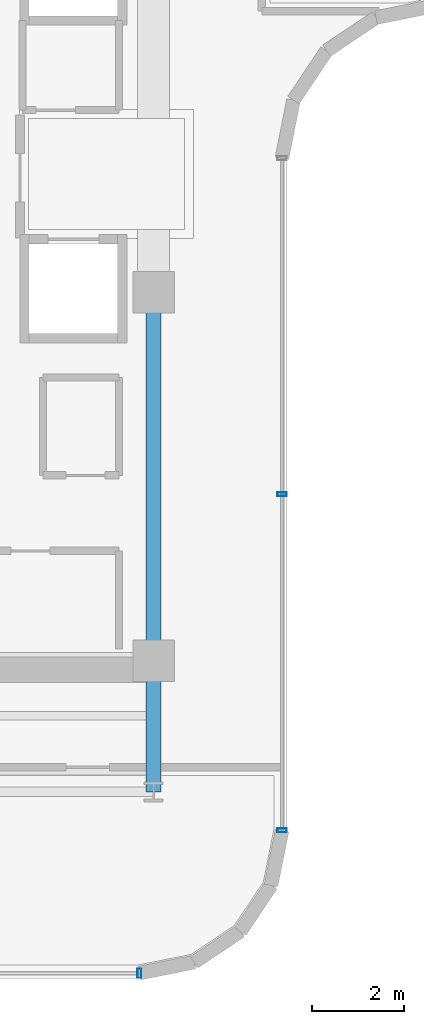
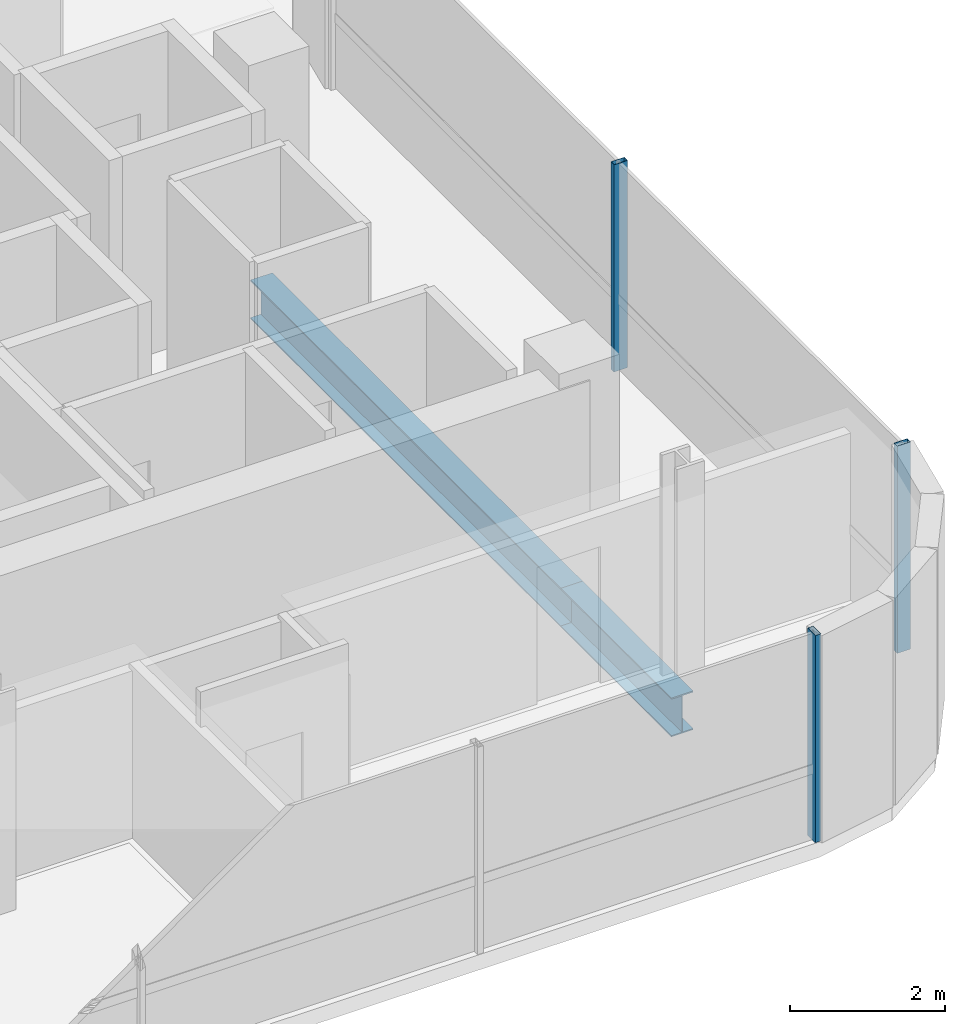
# One storey, part 5 of 24: 3 members, 2 beams, 2 elements without a shape of their own.
"""IFC4 building model written with IfcOpenShell, lengths in metres."""

from ifc_helpers import new_model, si_unit, direction, frame, origin, origin_2d, place, context, subcontext, project, spatial, hollow_rectangle, i_section, extrude, source, transform, mapped, material, material_profile, profile_set, type_object, element, aggregate, save


model = new_model("IFC4")

# Units and contexts
model_context = context("Model", 3, precision=1e-05, world=origin(), true_north=direction((0.0, 1.0)))
body_context = subcontext(model_context, "Body", "Model", "MODEL_VIEW")
ifc_project = project(units=[si_unit("LENGTHUNIT", "METRE"), si_unit("AREAUNIT", "SQUARE_METRE"), si_unit("VOLUMEUNIT", "CUBIC_METRE"), si_unit("PLANEANGLEUNIT", "RADIAN"), si_unit("MASSUNIT", "GRAM", prefix="KILO")], contexts=[model_context])

# Site, building, storey
site_placement = place(None, origin())
site = spatial("IfcSite", under=ifc_project, at=site_placement, CompositionType="ELEMENT")
building_placement = place(site_placement, origin())
building = spatial("IfcBuilding", under=site, at=building_placement, Name="Valdorenza Pilgrim Sanctuary Tower", CompositionType="ELEMENT")
storey_placement = place(building_placement, frame((0.0, 0.0, 230.0)))
storey = spatial("IfcBuildingStorey", under=building, at=storey_placement, Name="L59", CompositionType="ELEMENT", Elevation=230.0)

# Beams
ifc_material_1 = material(Name="Steel ASTM A992 Grade 50", Category="steel")
ifc_material_profile_1 = material_profile(ifc_material_1, i_section(OverallWidth=0.323974609375, OverallDepth=0.611083984375, WebThickness=0.0126953125, FlangeThickness=0.01904296875, at=origin_2d()), Name="W24X104")
ifc_profile_set_1 = profile_set([ifc_material_profile_1], Name="Steel ASTM A992 Grade 50")
beam_type = type_object("IfcBeamType", Name="STR-BM-GRD-W24B", PredefinedType="BEAM", material=ifc_profile_set_1)
shared_shape_1 = source(origin(), body_context, "Body", "SweptSolid", [
    extrude(i_section(OverallWidth=0.323974609375, OverallDepth=0.611083984375, WebThickness=0.0126953125, FlangeThickness=0.01904296875, at=origin_2d()), origin(), (0.0, 0.0, 1.0), 8.0),
])
beam_1_placement = place(storey_placement, frame((-12.39990234375, -10.60009765625, -0.54541015625), z_axis=(0.0, 1.0, 0.0), x_axis=(-1.0, 0.0, 0.0)))
element("IfcBeam", 1, at=beam_1_placement, inside=storey, type_object=beam_type, Name="L59 Core Tie Girder CA-E-S1M0", PredefinedType="BEAM", context=body_context, shape_type="MappedRepresentation", body=[
    mapped(shared_shape_1, transform((0.0, 0.0, 0.0), x_axis=(1.0, 0.0, 0.0), y_axis=(0.0, 1.0, 0.0), z_axis=(0.0, 0.0, 1.0), scale=1.0)),
])
shared_shape_2 = source(origin(), body_context, "Body", "SweptSolid", [
    extrude(i_section(OverallWidth=0.323974609375, OverallDepth=0.611083984375, WebThickness=0.0126953125, FlangeThickness=0.01904296875, at=origin_2d()), origin(), (0.0, 0.0, 1.0), 2.849853515625),
])
beam_2_placement = place(storey_placement, frame((-12.39990234375, -13.449951171875, -0.54541015625), z_axis=(0.0, 1.0, 0.0), x_axis=(-1.0, 0.0, 0.0)))
element("IfcBeam", 2, at=beam_2_placement, inside=storey, type_object=beam_type, Name="L59 Floor Girder WA-S-LE", PredefinedType="BEAM", context=body_context, shape_type="MappedRepresentation", body=[
    mapped(shared_shape_2, transform((0.0, 0.0, 0.0), x_axis=(1.0, 0.0, 0.0), y_axis=(0.0, 1.0, 0.0), z_axis=(0.0, 0.0, 1.0), scale=1.0)),
])

# Curtain wall, members
ifc_material_2 = material(Name="Curtain-wall IGU glazing", Category="glass")
curtain_wall_type = type_object("IfcCurtainWallType", Name="CW-SYS-02", PredefinedType="NOTDEFINED", material=ifc_material_2)
curtain_wall_1_placement = place(storey_placement, origin())
curtain_wall_1 = element("IfcCurtainWall", 3, at=curtain_wall_1_placement, inside=storey, type_object=curtain_wall_type, Name="L59 Curtain Wall CW-L59-1-21", PredefinedType="NOTDEFINED")
ifc_material_3 = material(Name="Anodised aluminium AW-6060", Category="aluminium")
ifc_material_profile_2 = material_profile(ifc_material_3, hollow_rectangle(XDim=0.0849609375, YDim=0.199951171875, WallThickness=0.0048828125, at=origin_2d()), Name="ALU-M 200x85x5")
ifc_profile_set_2 = profile_set([ifc_material_profile_2], Name="Anodised aluminium AW-6060")
member_type = type_object("IfcMemberType", Name="CW-MUL-02", PredefinedType="MULLION", material=ifc_profile_set_2)
shared_shape_3 = source(origin(), body_context, "Body", "SweptSolid", [
    extrude(hollow_rectangle(XDim=0.0849609375, YDim=0.199951171875, WallThickness=0.0048828125, at=origin_2d()), origin(), (0.0, 0.0, 1.0), 3.260009765625),
])
member_1_placement = place(storey_placement, frame((-9.610107421875, -6.9892578125, 0.0), z_axis=(0.0, 0.0, 1.0), x_axis=(0.0, -1.0, 0.0)))
member_1 = element("IfcMember", 4, at=member_1_placement, type_object=member_type, Name="CW-L59-1-21 Mullion 2", PredefinedType="MULLION", context=body_context, shape_type="MappedRepresentation", body=[
    mapped(shared_shape_3, transform((0.0, 0.0, 0.0), x_axis=(1.0, 0.0, 0.0), y_axis=(0.0, 1.0, 0.0), z_axis=(0.0, 0.0, 1.0), scale=1.0)),
])
member_2_placement = place(storey_placement, frame((-9.610107421875, -14.289306640625, 0.0), z_axis=(0.0, 0.0, 1.0), x_axis=(0.0, -1.0, 0.0)))
member_2 = element("IfcMember", 5, at=member_2_placement, type_object=member_type, Name="CW-L59-1-21 Mullion 3", PredefinedType="MULLION", context=body_context, shape_type="MappedRepresentation", body=[
    mapped(shared_shape_3, transform((0.0, 0.0, 0.0), x_axis=(1.0, 0.0, 0.0), y_axis=(0.0, 1.0, 0.0), z_axis=(0.0, 0.0, 1.0), scale=1.0)),
])
aggregate(curtain_wall_1, [member_1, member_2])

# Curtain wall, member
curtain_wall_2_placement = place(storey_placement, origin())
curtain_wall_2 = element("IfcCurtainWall", 6, at=curtain_wall_2_placement, inside=storey, type_object=curtain_wall_type, Name="L59 Curtain Wall CW-L59-1-26", PredefinedType="NOTDEFINED")
member_3_placement = place(storey_placement, frame((-12.710693359375, -17.389892578125, 0.0), z_axis=(0.0, 0.0, 1.0), x_axis=(-1.0, 0.0, 0.0)))
member_3 = element("IfcMember", 7, at=member_3_placement, type_object=member_type, Name="CW-L59-1-26 Mullion 1", PredefinedType="MULLION", context=body_context, shape_type="MappedRepresentation", body=[
    mapped(shared_shape_3, transform((0.0, 0.0, 0.0), x_axis=(1.0, 0.0, 0.0), y_axis=(0.0, 1.0, 0.0), z_axis=(0.0, 0.0, 1.0), scale=1.0)),
])
aggregate(curtain_wall_2, [member_3])

save(model, "model.ifc")
